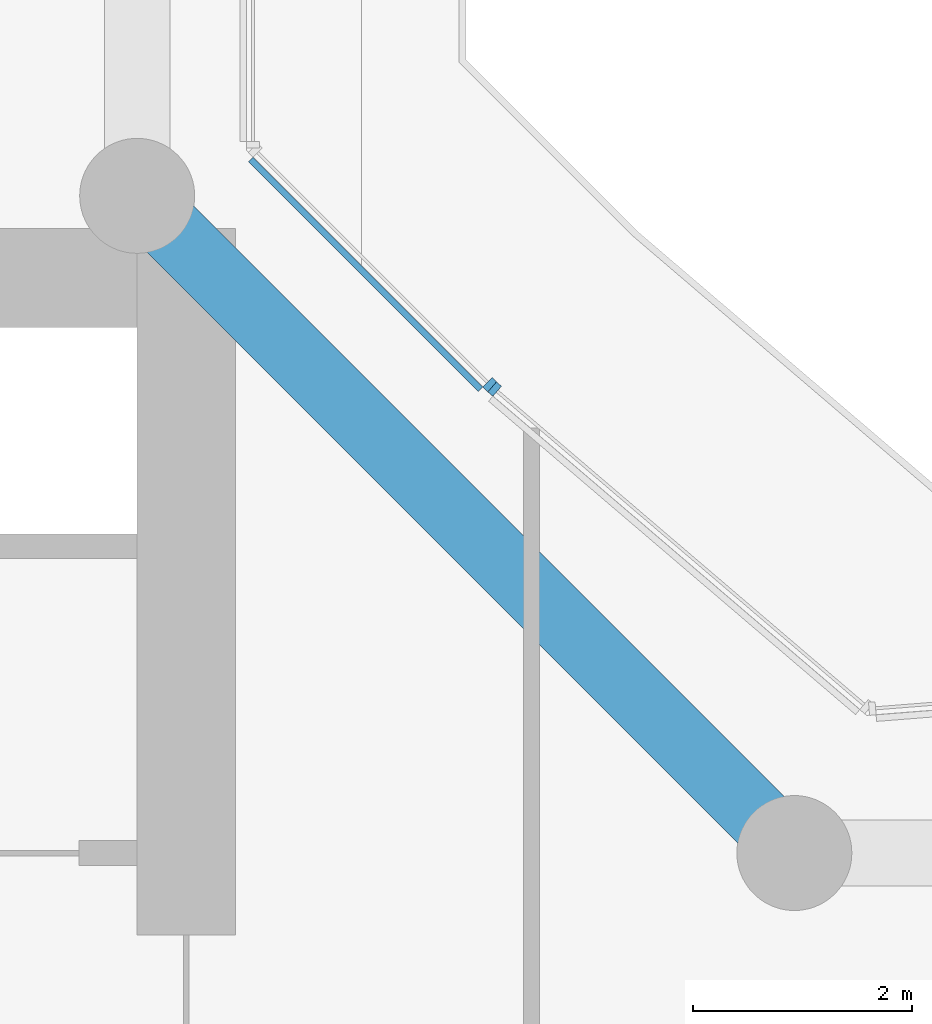
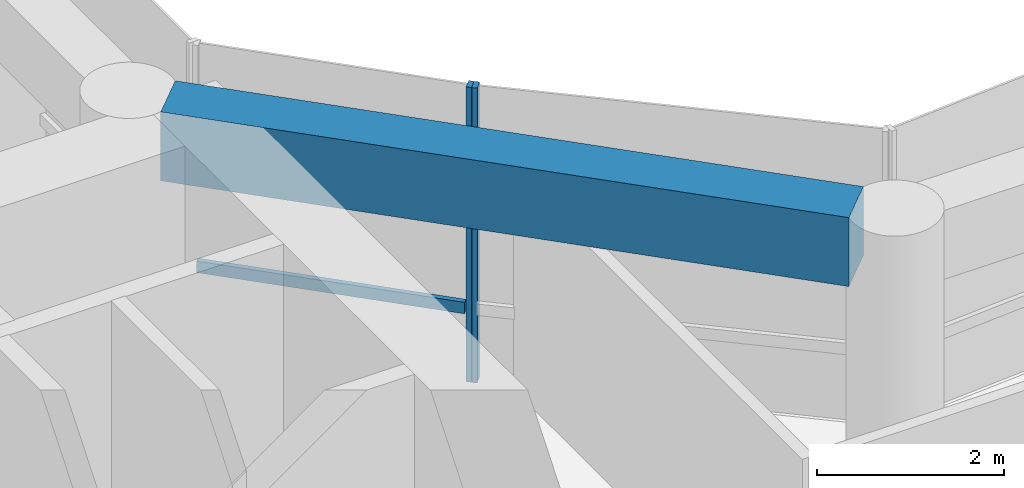
# One storey, part 5 of 28: 3 members, 1 beam, 2 elements without a shape of their own.
"""IFC4 building model written with IfcOpenShell, lengths in metres."""

from ifc_helpers import new_model, si_unit, direction, frame, origin, origin_2d, place, context, subcontext, project, spatial, rectangle, extrude, material, layer, layer_set, material_profile, profile_set, type_object, element, aggregate, save


model = new_model("IFC4")

# Units and contexts
model_context = context("Model", 3, precision=1e-05, world=origin(), true_north=direction((0.0, 1.0)))
body_context = subcontext(model_context, "Body", "Model", "MODEL_VIEW")
ifc_project = project(units=[si_unit("LENGTHUNIT", "METRE"), si_unit("AREAUNIT", "SQUARE_METRE"), si_unit("VOLUMEUNIT", "CUBIC_METRE"), si_unit("PLANEANGLEUNIT", "RADIAN"), si_unit("MASSUNIT", "GRAM", prefix="KILO")], contexts=[model_context])

# Site, building, storey
site_placement = place(None, origin())
site = spatial("IfcSite", under=ifc_project, at=site_placement, CompositionType="ELEMENT")
building_placement = place(site_placement, origin())
building = spatial("IfcBuilding", under=site, at=building_placement, Name="Welwitschia Terrace Campus", CompositionType="ELEMENT")
storey_placement = place(building_placement, frame((0.0, 0.0, 71.0)))
storey = spatial("IfcBuildingStorey", under=building, at=storey_placement, Name="L16", CompositionType="ELEMENT", Elevation=71.0)

# Curtain wall, member
ifc_material_1 = material(Name="Bronze anodised aluminium", Category="aluminium")
ifc_layer = layer(ifc_material_1, 0.1201171875)
ifc_layer_set = layer_set([ifc_layer], Name="Bronze anodised aluminium")
curtain_wall_type = type_object("IfcCurtainWallType", Name="Curtain wall CW2 tower 6000", PredefinedType="NOTDEFINED", material=ifc_layer_set)
curtain_wall_1_placement = place(storey_placement, origin())
curtain_wall_1 = element("IfcCurtainWall", 1, at=curtain_wall_1_placement, inside=storey, type_object=curtain_wall_type, Name="CW L16.12.0", PredefinedType="NOTDEFINED")
ifc_material_2 = material(Name="Bronze anodised aluminium", Category="aluminium")
ifc_material_profile_1 = material_profile(ifc_material_2, rectangle(XDim=0.1201171875, YDim=0.06005859375, at=origin_2d()))
ifc_profile_set_1 = profile_set([ifc_material_profile_1], Name="Bronze anodised aluminium")
member_type_1 = type_object("IfcMemberType", Name="Mullion 60x120", PredefinedType="MULLION", material=ifc_profile_set_1)
member_1_placement = place(storey_placement, frame((27.263671875, 24.23583984375, 0.0), z_axis=(0.0, 0.0, 1.0), x_axis=(-0.64944804833, -0.7604059656, 0.0)))
member_1 = element("IfcMember", 2, at=member_1_placement, type_object=member_type_1, Name="Mullion L16.12.0.1", PredefinedType="MULLION", context=body_context, shape_type="SweptSolid", body=[
    extrude(rectangle(XDim=0.1201171875, YDim=0.06005859375, at=origin_2d()), origin(), (0.0, 0.0, 1.0), 3.85009765625),
])
aggregate(curtain_wall_1, [member_1])

curtain_wall_2_placement = place(storey_placement, origin())
curtain_wall_2 = element("IfcCurtainWall", 3, at=curtain_wall_2_placement, inside=storey, type_object=curtain_wall_type, Name="CW L16.13.0", PredefinedType="NOTDEFINED")
member_2_placement = place(storey_placement, frame((27.2197265625, 24.276611328125, 0.0), z_axis=(0.0, 0.0, 1.0), x_axis=(-0.707106781187, -0.707106781187, 0.0)))
member_2 = element("IfcMember", 4, at=member_2_placement, type_object=member_type_1, Name="Mullion L16.13.0.0", PredefinedType="MULLION", context=body_context, shape_type="SweptSolid", body=[
    extrude(rectangle(XDim=0.1201171875, YDim=0.06005859375, at=origin_2d()), origin(), (0.0, 0.0, 1.0), 3.85009765625),
])

# Beam
ifc_material_3 = material(Name="Concrete C60/75", Category="concrete")
ifc_material_profile_2 = material_profile(ifc_material_3, rectangle(XDim=0.60009765625, YDim=0.89990234375, at=origin_2d()))
ifc_profile_set_2 = profile_set([ifc_material_profile_2], Name="Concrete C60/75")
beam_type = type_object("IfcBeamType", Name="Ring spandrel 600x900", PredefinedType="SPANDREL", material=ifc_profile_set_2)
beam_placement = place(storey_placement, frame((29.69482421875, 20.30517578125, 3.39990234375), z_axis=(-0.707106781187, 0.707106781187, 0.0), x_axis=(-0.707106781187, -0.707106781187, 0.0)))
element("IfcBeam", 5, at=beam_placement, inside=storey, type_object=beam_type, Name="Spandrel SP2", PredefinedType="SPANDREL", context=body_context, shape_type="SweptSolid", body=[
    extrude(rectangle(XDim=0.60009765625, YDim=0.89990234375, at=origin_2d()), origin(), (0.0, 0.0, 1.0), 7.6220703125),
])

# Member
ifc_material_4 = material(Name="Bronze anodised aluminium", Category="aluminium")
ifc_material_profile_3 = material_profile(ifc_material_4, rectangle(XDim=0.06005859375, YDim=0.14990234375, at=origin_2d()))
ifc_profile_set_3 = profile_set([ifc_material_profile_3], Name="Bronze anodised aluminium")
member_type_2 = type_object("IfcMemberType", Name="Transom 60x150", PredefinedType="USERDEFINED", material=ifc_profile_set_3)
member_3_placement = place(storey_placement, frame((27.134765625, 24.234130859375, 1.0), z_axis=(-0.707065638035, 0.707147921945, 0.0), x_axis=(-0.707147921945, -0.707065638035, 0.0)))
member_3 = element("IfcMember", 6, at=member_3_placement, type_object=member_type_2, Name="Transom L16.13.0", ObjectType="TRANSOM", PredefinedType="USERDEFINED", context=body_context, shape_type="SweptSolid", body=[
    extrude(rectangle(XDim=0.06005859375, YDim=0.14990234375, at=origin_2d()), origin(), (0.0, 0.0, 1.0), 2.967041015625),
])

aggregate(curtain_wall_2, [member_2, member_3])

save(model, "model.ifc")
